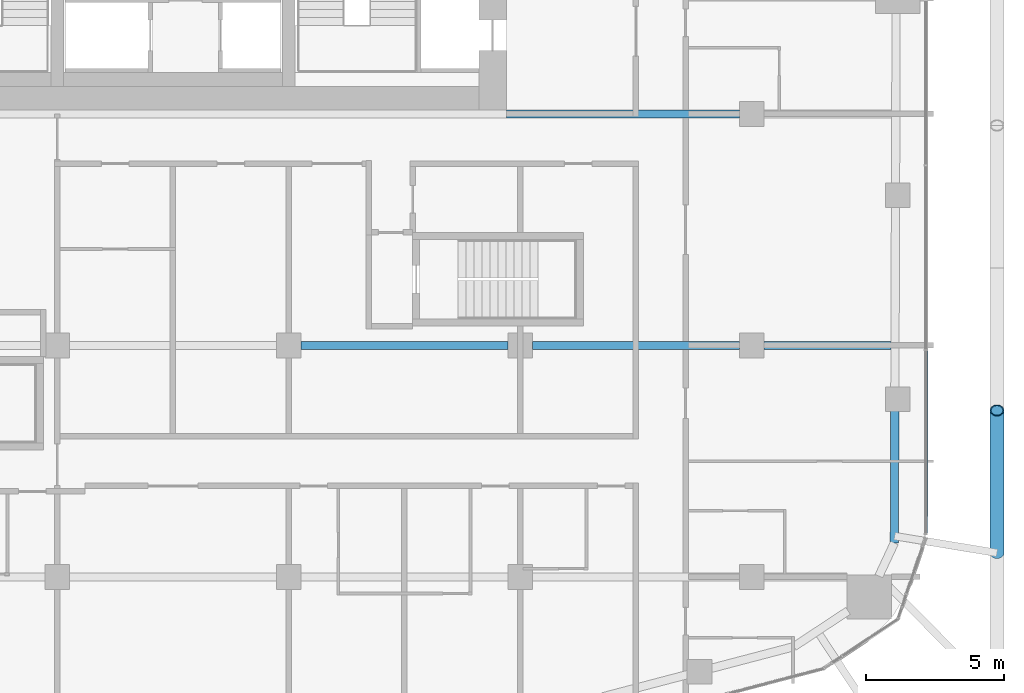
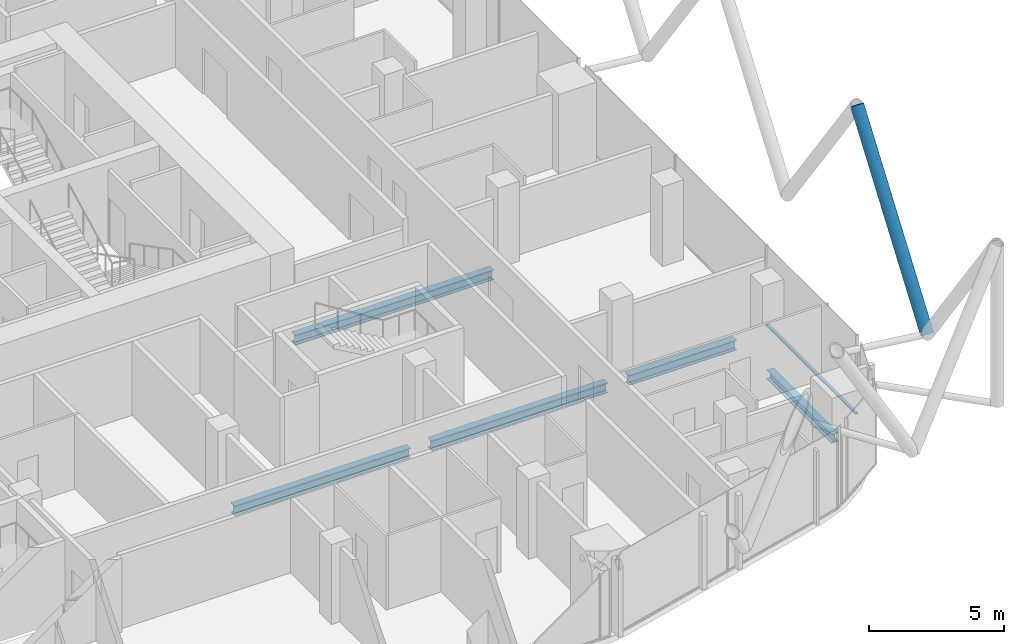
# One storey, part 7 of 36: 5 beams, 2 members, 1 element without a shape of its own.
"""IFC4 building model written with IfcOpenShell, lengths in metres."""

from ifc_helpers import new_model, si_unit, direction, frame, origin, origin_2d, place, context, subcontext, project, spatial, rectangle, hollow_circle, i_section, extrude, material, layer, layer_set, material_profile, profile_set, type_object, element, aggregate, save


model = new_model("IFC4")

# Units and contexts
model_context = context("Model", 3, precision=1e-05, world=origin(), true_north=direction((0.0, 1.0)))
body_context = subcontext(model_context, "Body", "Model", "MODEL_VIEW")
ifc_project = project(units=[si_unit("LENGTHUNIT", "METRE"), si_unit("AREAUNIT", "SQUARE_METRE"), si_unit("VOLUMEUNIT", "CUBIC_METRE"), si_unit("PLANEANGLEUNIT", "RADIAN"), si_unit("MASSUNIT", "GRAM", prefix="KILO")], contexts=[model_context])

# Site, building, storey
site_placement = place(None, origin())
site = spatial("IfcSite", under=ifc_project, at=site_placement, CompositionType="ELEMENT")
building_placement = place(site_placement, origin())
building = spatial("IfcBuilding", under=site, at=building_placement, Name="Marenta Gate Hotel Tower", CompositionType="ELEMENT")
storey_placement = place(building_placement, frame((0.0, 0.0, 115.699951171875)))
storey = spatial("IfcBuildingStorey", under=building, at=storey_placement, Name="L25", CompositionType="ELEMENT", Elevation=115.699951171875)

# Member
ifc_material_1 = material(Name="Steel S355J2W", Category="steel")
ifc_material_profile_1 = material_profile(ifc_material_1, hollow_circle(Radius=0.25390625, WallThickness=0.0400390625, at=origin_2d()), Name="CHS 508x40")
ifc_profile_set_1 = profile_set([ifc_material_profile_1], Name="Steel S355J2W")
member_type_1 = type_object("IfcMemberType", Name="Diagrid diagonal Z2 CHS 508x40", PredefinedType="BRACE", material=ifc_profile_set_1)
member_1_placement = place(storey_placement, frame((29.89990234375, -15.93017578125, 3.14013671875), z_axis=(0.0, 0.583279014058, 0.812271870595), x_axis=(-1.0, 0.0, 0.0)))
element("IfcMember", 1, at=member_1_placement, inside=storey, type_object=member_type_1, Name="L25-DG-9", PredefinedType="BRACE", context=body_context, shape_type="SweptSolid", body=[
    extrude(hollow_circle(Radius=0.25390625, WallThickness=0.0400390625, at=origin_2d()), origin(), (0.0, 0.0, 1.0), 8.864013671875),
])

# Beams
ifc_material_2 = material(Name="Steel S355", Category="steel")
ifc_material_profile_2 = material_profile(ifc_material_2, i_section(OverallWidth=0.300048828125, OverallDepth=0.39990234375, WebThickness=0.013427734375, FlangeThickness=0.02392578125, FilletRadius=0.027099609375, at=origin_2d()), Name="HEB 400")
ifc_profile_set_2 = profile_set([ifc_material_profile_2], Name="Steel S355")
beam_type_1 = type_object("IfcBeamType", Name="Edge beam HEB 400", PredefinedType="SPANDREL", material=ifc_profile_set_2)
beam_1_placement = place(storey_placement, frame((26.191162109375, -10.761962890625, -0.4599609375), z_axis=(-0.003353298899, -0.999994377677, 0.0), x_axis=(0.999994377677, -0.003353298899, 0.0)))
element("IfcBeam", 2, at=beam_1_placement, inside=storey, type_object=beam_type_1, Name="L25-EB-27", PredefinedType="SPANDREL", context=body_context, shape_type="SweptSolid", body=[
    extrude(i_section(OverallWidth=0.300048828125, OverallDepth=0.39990234375, WebThickness=0.013427734375, FlangeThickness=0.02392578125, FilletRadius=0.027099609375, at=origin_2d()), origin(), (0.0, 0.0, 1.0), 4.80517578125),
])
ifc_material_3 = material(Name="Steel S355", Category="steel")
ifc_material_profile_3 = material_profile(ifc_material_3, i_section(OverallWidth=0.300048828125, OverallDepth=0.449951171875, WebThickness=0.013916015625, FlangeThickness=0.02587890625, FilletRadius=0.027099609375, at=origin_2d()), Name="HEB 450")
ifc_profile_set_3 = profile_set([ifc_material_profile_3], Name="Steel S355")
beam_type_2 = type_object("IfcBeamType", Name="Girder HEB 450", PredefinedType="BEAM", material=ifc_profile_set_3)
for number, where, z_axis, x_axis, name in (
    (3, (4.64990234375, -8.39990234375, -0.48486328125), (1.0, 0.0, 0.0), (0.0, 1.0, 0.0), "L25-GD-12"),
    (4, (13.050048828125, -8.39990234375, -0.48486328125), (1.0, 0.0, 0.0), (0.0, 1.0, 0.0), "L25-GD-13"),
):
    element("IfcBeam", number, at=place(storey_placement, frame(where, z_axis=z_axis, x_axis=x_axis)), inside=storey, type_object=beam_type_2, Name=name, PredefinedType="BEAM", context=body_context, shape_type="SweptSolid", body=[
        extrude(i_section(OverallWidth=0.300048828125, OverallDepth=0.449951171875, WebThickness=0.013916015625, FlangeThickness=0.02587890625, FilletRadius=0.027099609375, at=origin_2d()), origin(), (0.0, 0.0, 1.0), 7.5),
    ])
beam_2_placement = place(storey_placement, frame((21.449951171875, -8.39990234375, -0.48486328125), z_axis=(1.0, 0.0, 0.0), x_axis=(0.0, 1.0, 0.0)))
element("IfcBeam", 5, at=beam_2_placement, inside=storey, type_object=beam_type_2, Name="L25-GD-14", PredefinedType="BEAM", context=body_context, shape_type="SweptSolid", body=[
    extrude(i_section(OverallWidth=0.300048828125, OverallDepth=0.449951171875, WebThickness=0.013916015625, FlangeThickness=0.02587890625, FilletRadius=0.027099609375, at=origin_2d()), origin(), (0.0, 0.0, 1.0), 4.59912109375),
])
beam_3_placement = place(storey_placement, frame((12.10009765625, 0.0, -0.48486328125), z_axis=(1.0, 0.0, 0.0), x_axis=(0.0, 1.0, 0.0)))
element("IfcBeam", 6, at=beam_3_placement, inside=storey, type_object=beam_type_2, Name="L25-GD-18", PredefinedType="BEAM", context=body_context, shape_type="SweptSolid", body=[
    extrude(i_section(OverallWidth=0.300048828125, OverallDepth=0.449951171875, WebThickness=0.013916015625, FlangeThickness=0.02587890625, FilletRadius=0.027099609375, at=origin_2d()), origin(), (0.0, 0.0, 1.0), 8.449951171875),
])

# Curtain wall, member
ifc_material_4 = material(Name="Tinted insulated glass in bronze anodised frame", Category="glass")
ifc_layer = layer(ifc_material_4, 0.1201171875)
ifc_layer_set = layer_set([ifc_layer], Name="Tinted insulated glass in bronze anodised frame")
curtain_wall_type = type_object("IfcCurtainWallType", Name="Tower unitised curtain wall CW1", PredefinedType="NOTDEFINED", material=ifc_layer_set)
curtain_wall_placement = place(storey_placement, origin())
curtain_wall = element("IfcCurtainWall", 7, at=curtain_wall_placement, inside=storey, type_object=curtain_wall_type, Name="CW1 run G33", PredefinedType="NOTDEFINED")
ifc_material_5 = material(Name="Bronze anodised aluminium", Category="aluminium")
ifc_material_profile_4 = material_profile(ifc_material_5, rectangle(XDim=0.1201171875, YDim=0.06005859375, at=origin_2d()), Name="Transom CW1 60x120 bronze anodised aluminium")
ifc_profile_set_4 = profile_set([ifc_material_profile_4], Name="Bronze anodised aluminium")
member_type_2 = type_object("IfcMemberType", Name="Transom CW1 60x120 bronze anodised aluminium", PredefinedType="USERDEFINED", material=ifc_profile_set_4)
member_2_placement = place(storey_placement, frame((27.31396484375, -15.21484375, 0.030029296875), z_axis=(0.0, 1.0, 0.0), x_axis=(-1.0, 0.0, 0.0)))
member_2 = element("IfcMember", 8, at=member_2_placement, type_object=member_type_2, Name="CW1 transom 1.1", ObjectType="TRANSOM", PredefinedType="USERDEFINED", context=body_context, shape_type="SweptSolid", body=[
    extrude(rectangle(XDim=0.1201171875, YDim=0.06005859375, at=origin_2d()), origin(), (0.0, 0.0, 1.0), 6.6171875),
])
aggregate(curtain_wall, [member_2])

save(model, "model.ifc")
